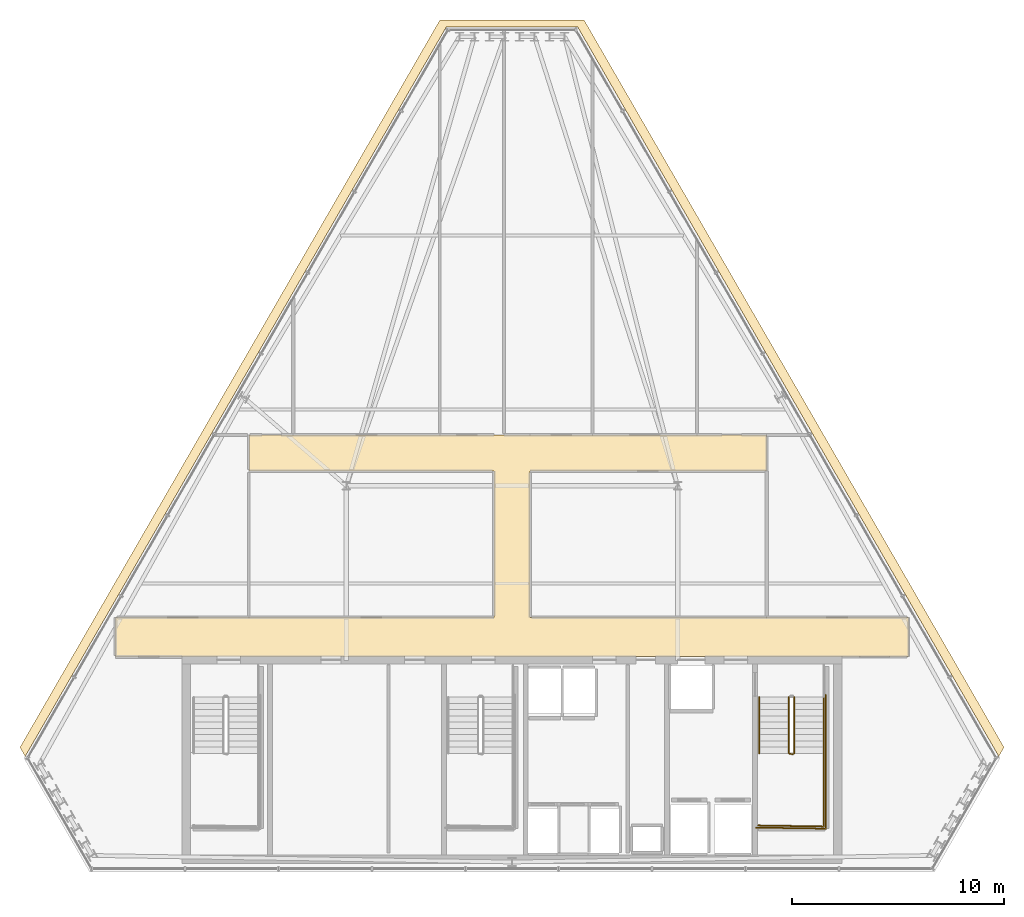
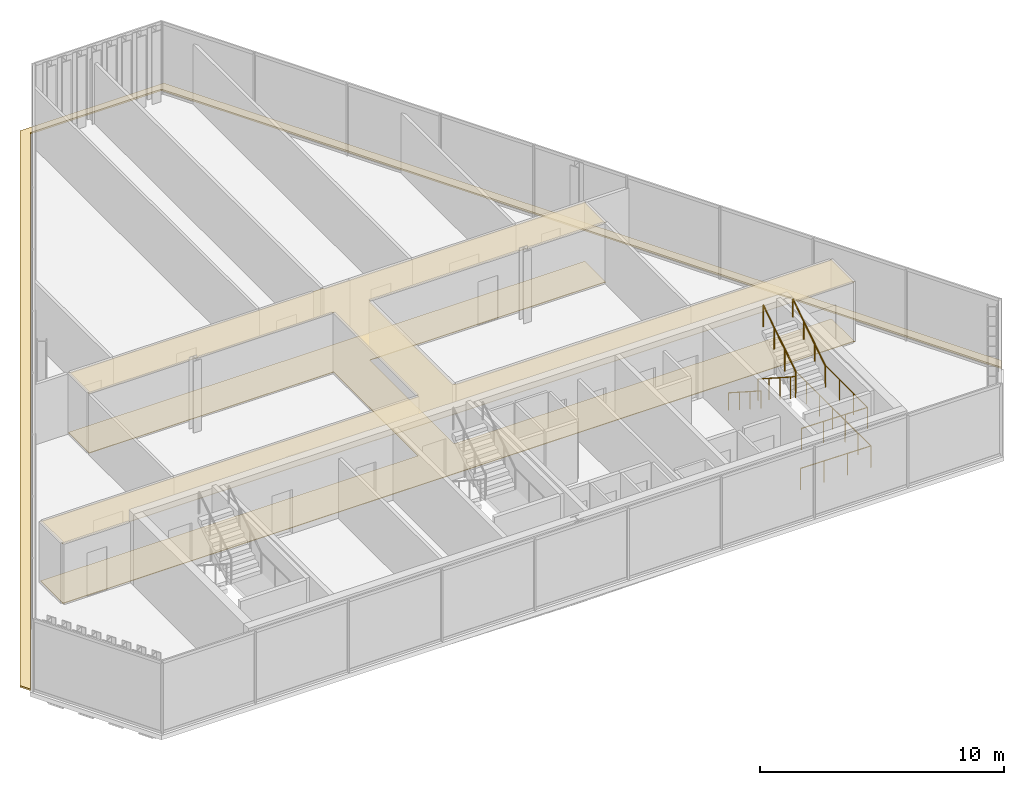
# One storey, part 31 of 32: 6 railings, 3 coverings.
"""IFC4 building model written with IfcOpenShell, lengths in metres."""

from ifc_helpers import new_model, si_unit, direction, frame, origin, origin_2d, place, context, subcontext, project, spatial, polyline, circle, outline, extrude, material, layer, layer_set, type_object, element, save


model = new_model("IFC4")

# Units and contexts
model_context = context("Model", 3, precision=1e-05, world=origin(), true_north=direction((0.0, 1.0)))
body_context = subcontext(model_context, "Body", "Model", "MODEL_VIEW")
ifc_project = project(units=[si_unit("LENGTHUNIT", "METRE"), si_unit("AREAUNIT", "SQUARE_METRE"), si_unit("VOLUMEUNIT", "CUBIC_METRE"), si_unit("PLANEANGLEUNIT", "RADIAN"), si_unit("MASSUNIT", "GRAM", prefix="KILO")], contexts=[model_context])

# Site, building, storey
site_placement = place(None, origin())
site = spatial("IfcSite", under=ifc_project, at=site_placement, CompositionType="ELEMENT")
building_placement = place(site_placement, origin())
building = spatial("IfcBuilding", under=site, at=building_placement, Name="Ndaravel Arena Tower", CompositionType="ELEMENT")
storey_placement = place(building_placement, frame((0.0, 0.0, 252.199951171875)))
storey = spatial("IfcBuildingStorey", under=building, at=storey_placement, Name="L61", CompositionType="ELEMENT", Elevation=252.199951171875)

# Coverings
ifc_material_1 = material(Name="Acoustic Ceiling Tile", Category="finish")
ifc_layer_1 = layer(ifc_material_1, 0.02490234375)
ifc_layer_set_1 = layer_set([ifc_layer_1], Name="Acoustic Ceiling Tile")
covering_type_1 = type_object("IfcCoveringType", Name="COV-CEIL-AC600", PredefinedType="CEILING", material=ifc_layer_set_1)
covering_1_placement = place(storey_placement, frame((0.0, 0.0, 2.98046875)))
element("IfcCovering", 1, at=covering_1_placement, inside=storey, type_object=covering_type_1, Name="L61 Corridor Acoustic Ceiling", PredefinedType="CEILING", context=body_context, shape_type="SweptSolid", body=[
    extrude(outline(polyline([(60.68505859375, 17.0), (42.85009765625, 17.0), (42.85009765625, 23.89990234375), (54.0, 23.89990234375), (54.0, 25.60009765625), (42.85009765625, 25.60009765625), (41.14990234375, 25.60009765625), (29.60009765625, 25.60009765625), (29.60009765625, 23.89990234375), (41.14990234375, 23.89990234375), (41.14990234375, 17.0), (23.31494140625, 17.0), (23.31494140625, 15.14990234375), (60.68505859375, 15.14990234375), (60.68505859375, 17.0)])), origin(), (0.0, 0.0, 1.0), 0.025146484375),
])
ifc_material_2 = material(Name="Terrazzo", Category="stone")
ifc_layer_2 = layer(ifc_material_2, 0.030029296875)
ifc_layer_set_2 = layer_set([ifc_layer_2], Name="Terrazzo")
covering_type_2 = type_object("IfcCoveringType", Name="COV-FLOOR-TERRAZZO", PredefinedType="FLOORING", material=ifc_layer_set_2)
covering_2_placement = place(storey_placement, origin())
element("IfcCovering", 2, at=covering_2_placement, inside=storey, type_object=covering_type_2, Name="L61 Corridor Terrazzo Flooring", PredefinedType="FLOORING", context=body_context, shape_type="SweptSolid", body=[
    extrude(outline(polyline([(60.68505859375, 17.0), (42.85009765625, 17.0), (42.85009765625, 23.89990234375), (54.0, 23.89990234375), (54.0, 25.60009765625), (42.85009765625, 25.60009765625), (41.14990234375, 25.60009765625), (29.60009765625, 25.60009765625), (29.60009765625, 23.89990234375), (41.14990234375, 23.89990234375), (41.14990234375, 17.0), (23.31494140625, 17.0), (23.31494140625, 15.14990234375), (60.68505859375, 15.14990234375), (60.68505859375, 17.0)])), origin(), (0.0, 0.0, 1.0), 0.030029296875),
])
ifc_material_3 = material(Name="Roofing Membrane", Category="finish")
ifc_layer_3 = layer(ifc_material_3, 0.080078125)
ifc_layer_set_3 = layer_set([ifc_layer_3], Name="Roofing Membrane")
covering_type_3 = type_object("IfcCoveringType", Name="COV-ROOF-MEMB", PredefinedType="ROOFING", material=ifc_layer_set_3)
covering_3_placement = place(storey_placement, origin())
element("IfcCovering", 3, at=covering_3_placement, inside=storey, type_object=covering_type_3, Name="L61 Facet Setback Weathering Flashing", PredefinedType="ROOFING", context=body_context, shape_type="SweptSolid", body=[
    extrude(outline(polyline([(18.819580078125, 10.882080078125), (38.60400390625, 45.149658203125), (45.39599609375, 45.149658203125), (65.180419921875, 10.882080078125), (64.934326171875, 10.455810546875), (45.094482421875, 44.819580078125), (38.905517578125, 44.819580078125), (19.065673828125, 10.455810546875), (18.819580078125, 10.882080078125)])), origin(), (0.0, 0.0, 1.0), 0.080078125),
])

# Railings
ifc_material_4 = material(Name="Steel S355", Category="steel")
ifc_layer_4 = layer(ifc_material_4, 0.06005859375)
ifc_layer_set_4 = layer_set([ifc_layer_4], Name="Steel S355")
railing_type_1 = type_object("IfcRailingType", Name="RAIL-STAIR-GD1100", PredefinedType="GUARDRAIL", material=ifc_layer_set_4)
railing_1_placement = place(storey_placement, frame((55.050048828125, 13.25, 0.18994140625)))
element("IfcRailing", 4, at=railing_1_placement, inside=storey, type_object=railing_type_1, Name="L61 ST-3 stair guard 1", PredefinedType="GUARDRAIL", context=body_context, shape_type="SweptSolid", body=[
    extrude(circle(Radius=0.02392578125, at=origin_2d()), frame((0.0, 0.0, 1.076171875), z_axis=(0.0, -0.840688348013, 0.541519253134), x_axis=(1.0, 0.0, 0.0)), (0.0, 0.0, 1.0), 3.158203125),
    extrude(circle(Radius=0.02392578125, at=origin_2d()), frame((0.0, -2.655029296875, 2.7861328125), z_axis=(0.966993988697, -0.254799187253, 0.0), x_axis=(0.254799187253, 0.966993988697, 0.0)), (0.0, 0.0, 1.0), 0.196533203125),
    extrude(circle(Radius=0.02099609375, at=origin_2d()), origin(), (0.0, 0.0, 1.0), 1.052001953125),
    extrude(circle(Radius=0.02099609375, at=origin_2d()), frame((0.0, -0.885009765625, 0.570068359375)), (0.0, 0.0, 1.0), 1.052001953125),
    extrude(circle(Radius=0.02099609375, at=origin_2d()), frame((0.0, -1.77001953125, 1.14013671875)), (0.0, 0.0, 1.0), 1.052001953125),
    extrude(circle(Radius=0.02099609375, at=origin_2d()), frame((0.0, -2.655029296875, 1.710205078125)), (0.0, 0.0, 1.0), 1.052001953125),
    extrude(circle(Radius=0.02099609375, at=origin_2d()), frame((0.18994140625, -2.705078125, 1.710205078125)), (0.0, 0.0, 1.0), 1.052001953125),
])
railing_2_placement = place(storey_placement, frame((56.68994140625, 10.594970703125, 1.900146484375)))
element("IfcRailing", 5, at=railing_2_placement, inside=storey, type_object=railing_type_1, Name="L61 ST-3 stair guard 2", PredefinedType="GUARDRAIL", context=body_context, shape_type="SweptSolid", body=[
    extrude(circle(Radius=0.02392578125, at=origin_2d()), frame((0.0, 0.0, 1.076171875), z_axis=(0.0, -1.0, 0.0), x_axis=(1.0, 0.0, 0.0)), (0.0, 0.0, 1.0), 3.445068359375),
    extrude(circle(Radius=0.02392578125, at=origin_2d()), frame((0.0, -3.445068359375, 1.076171875), z_axis=(-0.999868840623, 0.016195726322, 0.0), x_axis=(-0.016195726322, -0.999868840623, 0.0)), (0.0, 0.0, 1.0), 3.09033203125),
    extrude(circle(Radius=0.02099609375, at=origin_2d()), origin(), (0.0, 0.0, 1.0), 1.052001953125),
    extrude(circle(Radius=0.02099609375, at=origin_2d()), frame((0.0, -1.1484375, 0.0)), (0.0, 0.0, 1.0), 1.052001953125),
    extrude(circle(Radius=0.02099609375, at=origin_2d()), frame((0.0, -2.296630859375, 0.0)), (0.0, 0.0, 1.0), 1.052001953125),
    extrude(circle(Radius=0.02099609375, at=origin_2d()), frame((0.0, -3.445068359375, 0.0)), (0.0, 0.0, 1.0), 1.052001953125),
    extrude(circle(Radius=0.02099609375, at=origin_2d()), frame((-1.030029296875, -3.428466796875, 0.0)), (0.0, 0.0, 1.0), 1.052001953125),
    extrude(circle(Radius=0.02099609375, at=origin_2d()), frame((-2.059814453125, -3.41162109375, 0.0)), (0.0, 0.0, 1.0), 1.052001953125),
    extrude(circle(Radius=0.02099609375, at=origin_2d()), frame((-3.08984375, -3.39501953125, 0.0)), (0.0, 0.0, 1.0), 1.052001953125),
])
railing_3_placement = place(storey_placement, frame((55.2900390625, 10.594970703125, 2.090087890625)))
element("IfcRailing", 6, at=railing_3_placement, inside=storey, type_object=railing_type_1, Name="L61 ST-3 stair guard 3", PredefinedType="GUARDRAIL", context=body_context, shape_type="SweptSolid", body=[
    extrude(circle(Radius=0.02392578125, at=origin_2d()), frame((0.0, 0.0, 1.076171875), z_axis=(0.0, 0.840723540582, 0.54146461409), x_axis=(-1.0, 0.0, 0.0)), (0.0, 0.0, 1.0), 3.157958984375),
    extrude(circle(Radius=0.02099609375, at=origin_2d()), origin(), (0.0, 0.0, 1.0), 1.052001953125),
    extrude(circle(Radius=0.02099609375, at=origin_2d()), frame((0.0, 0.885009765625, 0.570068359375)), (0.0, 0.0, 1.0), 1.052001953125),
    extrude(circle(Radius=0.02099609375, at=origin_2d()), frame((0.0, 1.77001953125, 1.139892578125)), (0.0, 0.0, 1.0), 1.052001953125),
    extrude(circle(Radius=0.02099609375, at=origin_2d()), frame((0.0, 2.655029296875, 1.7099609375)), (0.0, 0.0, 1.0), 1.052001953125),
])
railing_4_placement = place(storey_placement, frame((56.7900390625, 13.35009765625, 0.0)))
element("IfcRailing", 7, at=railing_4_placement, inside=storey, type_object=railing_type_1, Name="L61 ST-3 stair guard 6", PredefinedType="GUARDRAIL", context=body_context, shape_type="SweptSolid", body=[
    extrude(circle(Radius=0.02392578125, at=origin_2d()), frame((0.0, 0.0, 1.076171875), z_axis=(0.0, -1.0, 0.0), x_axis=(1.0, 0.0, 0.0)), (0.0, 0.0, 1.0), 6.300048828125),
    extrude(circle(Radius=0.02392578125, at=origin_2d()), frame((0.0, -6.300048828125, 1.076171875), z_axis=(-0.99988431412, 0.015210469308, 0.0), x_axis=(-0.015210469308, -0.99988431412, 0.0)), (0.0, 0.0, 1.0), 3.29052734375),
    extrude(circle(Radius=0.02099609375, at=origin_2d()), origin(), (0.0, 0.0, 1.0), 1.052001953125),
    extrude(circle(Radius=0.02099609375, at=origin_2d()), frame((0.0, -1.050048828125, 0.0)), (0.0, 0.0, 1.0), 1.052001953125),
    extrude(circle(Radius=0.02099609375, at=origin_2d()), frame((0.0, -2.10009765625, 0.0)), (0.0, 0.0, 1.0), 1.052001953125),
    extrude(circle(Radius=0.02099609375, at=origin_2d()), frame((0.0, -3.14990234375, 0.0)), (0.0, 0.0, 1.0), 1.052001953125),
    extrude(circle(Radius=0.02099609375, at=origin_2d()), frame((0.0, -4.199951171875, 0.0)), (0.0, 0.0, 1.0), 1.052001953125),
    extrude(circle(Radius=0.02099609375, at=origin_2d()), frame((0.0, -5.25, 0.0)), (0.0, 0.0, 1.0), 1.052001953125),
    extrude(circle(Radius=0.02099609375, at=origin_2d()), frame((0.0, -6.300048828125, 0.0)), (0.0, 0.0, 1.0), 1.052001953125),
    extrude(circle(Radius=0.02099609375, at=origin_2d()), frame((-1.0966796875, -6.283447265625, 0.0)), (0.0, 0.0, 1.0), 1.052001953125),
    extrude(circle(Radius=0.02099609375, at=origin_2d()), frame((-2.193359375, -6.2666015625, 0.0)), (0.0, 0.0, 1.0), 1.052001953125),
    extrude(circle(Radius=0.02099609375, at=origin_2d()), frame((-3.2900390625, -6.25, 0.0)), (0.0, 0.0, 1.0), 1.052001953125),
])
ifc_material_5 = material(Name="Steel S355", Category="steel")
ifc_layer_5 = layer(ifc_material_5, 0.050048828125)
ifc_layer_set_5 = layer_set([ifc_layer_5], Name="Steel S355")
railing_type_2 = type_object("IfcRailingType", Name="RAIL-STAIR-HR920", PredefinedType="HANDRAIL", material=ifc_layer_set_5)
railing_5_placement = place(storey_placement, frame((53.64990234375, 13.25, 0.18994140625)))
element("IfcRailing", 8, at=railing_5_placement, inside=storey, type_object=railing_type_2, Name="L61 ST-3 stair handrail 1", PredefinedType="HANDRAIL", context=body_context, shape_type="SweptSolid", body=[
    extrude(circle(Radius=0.02392578125, at=origin_2d()), frame((0.0, 0.0, 0.8759765625), z_axis=(0.0, -0.840688348013, 0.541519253134), x_axis=(1.0, 0.0, 0.0)), (0.0, 0.0, 1.0), 3.158203125),
    extrude(circle(Radius=0.02099609375, at=origin_2d()), origin(), (0.0, 0.0, 1.0), 0.851806640625),
    extrude(circle(Radius=0.02099609375, at=origin_2d()), frame((0.0, -0.885009765625, 0.570068359375)), (0.0, 0.0, 1.0), 0.851806640625),
    extrude(circle(Radius=0.02099609375, at=origin_2d()), frame((0.0, -1.77001953125, 1.14013671875)), (0.0, 0.0, 1.0), 0.851806640625),
    extrude(circle(Radius=0.02099609375, at=origin_2d()), frame((0.0, -2.655029296875, 1.710205078125)), (0.0, 0.0, 1.0), 0.851806640625),
])
railing_6_placement = place(storey_placement, frame((56.68994140625, 10.594970703125, 2.090087890625)))
element("IfcRailing", 9, at=railing_6_placement, inside=storey, type_object=railing_type_2, Name="L61 ST-3 stair handrail 2", PredefinedType="HANDRAIL", context=body_context, shape_type="SweptSolid", body=[
    extrude(circle(Radius=0.02392578125, at=origin_2d()), frame((0.0, 0.0, 0.8759765625), z_axis=(0.0, 0.840723540582, 0.54146461409), x_axis=(-1.0, 0.0, 0.0)), (0.0, 0.0, 1.0), 3.157958984375),
    extrude(circle(Radius=0.02099609375, at=origin_2d()), origin(), (0.0, 0.0, 1.0), 0.851806640625),
    extrude(circle(Radius=0.02099609375, at=origin_2d()), frame((0.0, 0.885009765625, 0.570068359375)), (0.0, 0.0, 1.0), 0.851806640625),
    extrude(circle(Radius=0.02099609375, at=origin_2d()), frame((0.0, 1.77001953125, 1.139892578125)), (0.0, 0.0, 1.0), 0.851806640625),
    extrude(circle(Radius=0.02099609375, at=origin_2d()), frame((0.0, 2.655029296875, 1.7099609375)), (0.0, 0.0, 1.0), 0.851806640625),
])

save(model, "model.ifc")
